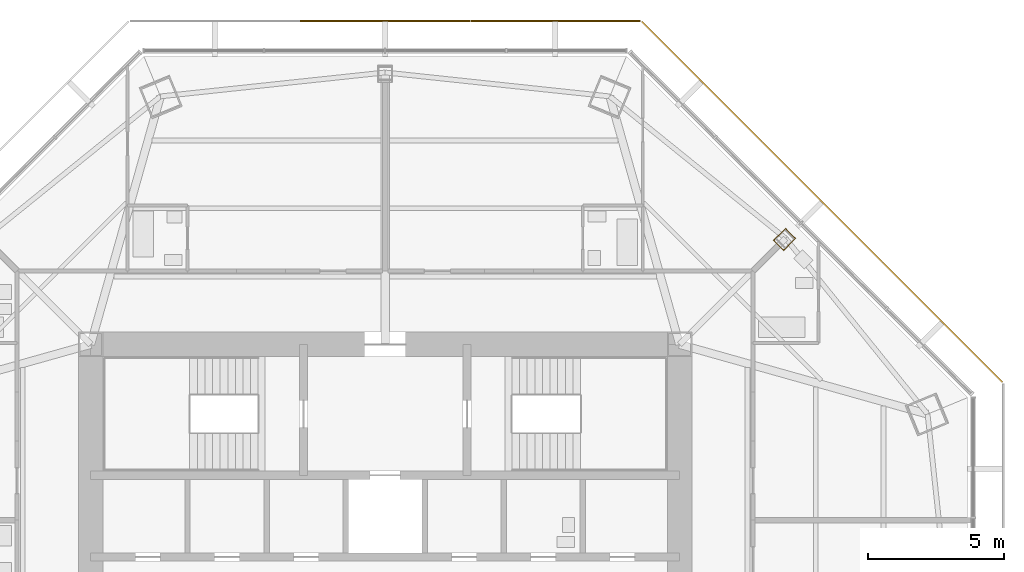
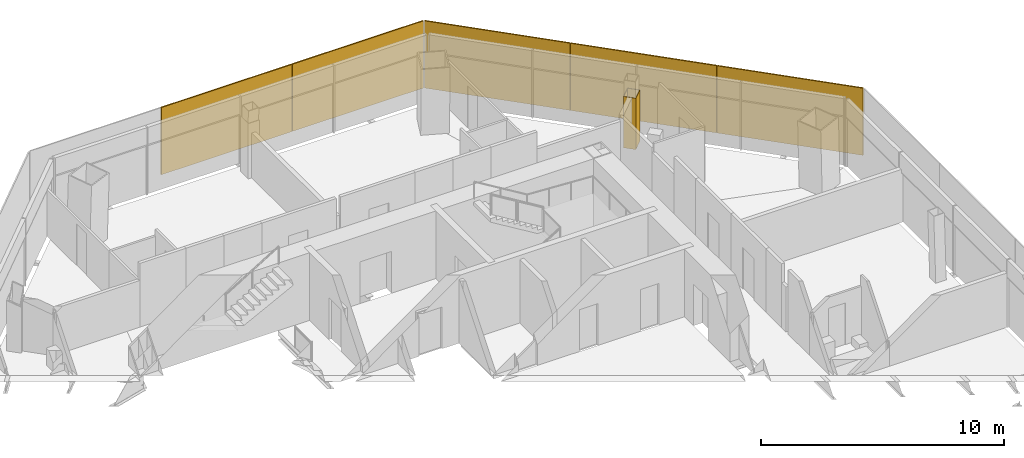
# One storey, part 14 of 15: 5 shading devices, 1 covering.
"""IFC4 building model written with IfcOpenShell, lengths in metres."""

from ifc_helpers import new_model, si_unit, direction, frame, origin, origin_2d, place, context, subcontext, project, spatial, polyline, rectangle, outline, extrude, source, transform, mapped, material, layer, layer_set, type_object, type_shapes, element, save


model = new_model("IFC4")

# Units and contexts
model_context = context("Model", 3, precision=1e-05, world=origin(), true_north=direction((0.0, 1.0)))
body_context = subcontext(model_context, "Body", "Model", "MODEL_VIEW")
ifc_project = project(units=[si_unit("LENGTHUNIT", "METRE"), si_unit("AREAUNIT", "SQUARE_METRE"), si_unit("VOLUMEUNIT", "CUBIC_METRE"), si_unit("PLANEANGLEUNIT", "RADIAN"), si_unit("MASSUNIT", "GRAM", prefix="KILO")], contexts=[model_context])

# Site, building, storey
site_placement = place(None, origin())
site = spatial("IfcSite", under=ifc_project, at=site_placement, CompositionType="ELEMENT")
building_placement = place(site_placement, origin())
building = spatial("IfcBuilding", under=site, at=building_placement, Name="Mashrafa Tower", CompositionType="ELEMENT")
storey_placement = place(building_placement, frame((0.0, 0.0, 227.800048828125)))
storey = spatial("IfcBuildingStorey", under=building, at=storey_placement, Name="L53", CompositionType="ELEMENT", Elevation=227.800048828125)

# Covering
ifc_material_1 = material(Name="Gypsum board")
ifc_layer_1 = layer(ifc_material_1, 0.014892578125)
ifc_layer_set_1 = layer_set([ifc_layer_1], Name="Column casing plasterboard 15")
covering_type = type_object("IfcCoveringType", Name="Column casing plasterboard 15", PredefinedType="CLADDING", material=ifc_layer_set_1)
covering_placement = place(storey_placement, origin())
element("IfcCovering", 1, at=covering_placement, inside=storey, type_object=covering_type, Name="Column casing L53-001", PredefinedType="CLADDING", context=body_context, shape_type="SweptSolid", body=[
    extrude(outline(polyline([(14.244140625, 14.618896484375), (14.68701171875, 15.06201171875), (15.06201171875, 14.68701171875), (14.618896484375, 14.244140625), (14.244140625, 14.618896484375)]), holes=[polyline([(15.04052734375, 14.68701171875), (14.68701171875, 15.04052734375), (14.265380859375, 14.618896484375), (14.618896484375, 14.265380859375), (15.04052734375, 14.68701171875)])]), origin(), (0.0, 0.0, 1.0), 2.582763671875),
])

# Shading devices
ifc_material_2 = material(Name="Perforated aluminium plate, eight-point star pattern", Category="aluminium")
ifc_layer_2 = layer(ifc_material_2, 0.06005859375)
ifc_layer_set_2 = layer_set([ifc_layer_2], Name="Mashrabiya screen panel apartment zone 3, 28 percent open")
shading_device_type = type_object("IfcShadingDeviceType", Name="Mashrabiya screen panel apartment zone 3, 28 percent open", PredefinedType="SHUTTER", material=ifc_layer_set_2)
shared_shape = source(origin(), body_context, "Body", "SweptSolid", [
    extrude(rectangle(XDim=6.225341796875, YDim=0.06005859375, at=origin_2d()), origin(), (0.0, 0.0, 1.0), 3.3798828125),
])
type_shapes(shading_device_type, [shared_shape])
for number, where, z_axis, x_axis, name in (
    (2, (20.446533203125, 11.614501953125, -0.14990234375), (0.0, 0.0, 1.0), (-0.707106781187, 0.707106781187, 0.0), "Mashrabiya screen L53 north-east 1"),
    (3, (16.030517578125, 16.030517578125, -0.14990234375), (0.0, 0.0, 1.0), (-0.707106781187, 0.707106781187, 0.0), "Mashrabiya screen L53 north-east 2"),
    (4, (11.614501953125, 20.446533203125, -0.14990234375), (0.0, 0.0, 1.0), (-0.707106781187, 0.707106781187, 0.0), "Mashrabiya screen L53 north-east 3"),
    (5, (6.245361328125, 22.670654296875, -0.14990234375), (0.0, 0.0, 1.0), (-1.0, 0.0, 0.0), "Mashrabiya screen L53 north 1"),
    (6, (0.0, 22.670654296875, -0.14990234375), (0.0, 0.0, 1.0), (-1.0, 0.0, 0.0), "Mashrabiya screen L53 north 2"),
):
    element("IfcShadingDevice", number, at=place(storey_placement, frame(where, z_axis=z_axis, x_axis=x_axis)), inside=storey, type_object=shading_device_type, Name=name, PredefinedType="SHUTTER", context=body_context, shape_type="MappedRepresentation", body=[
        mapped(shared_shape, transform((0.0, 0.0, 0.0))),
    ])

save(model, "model.ifc")
